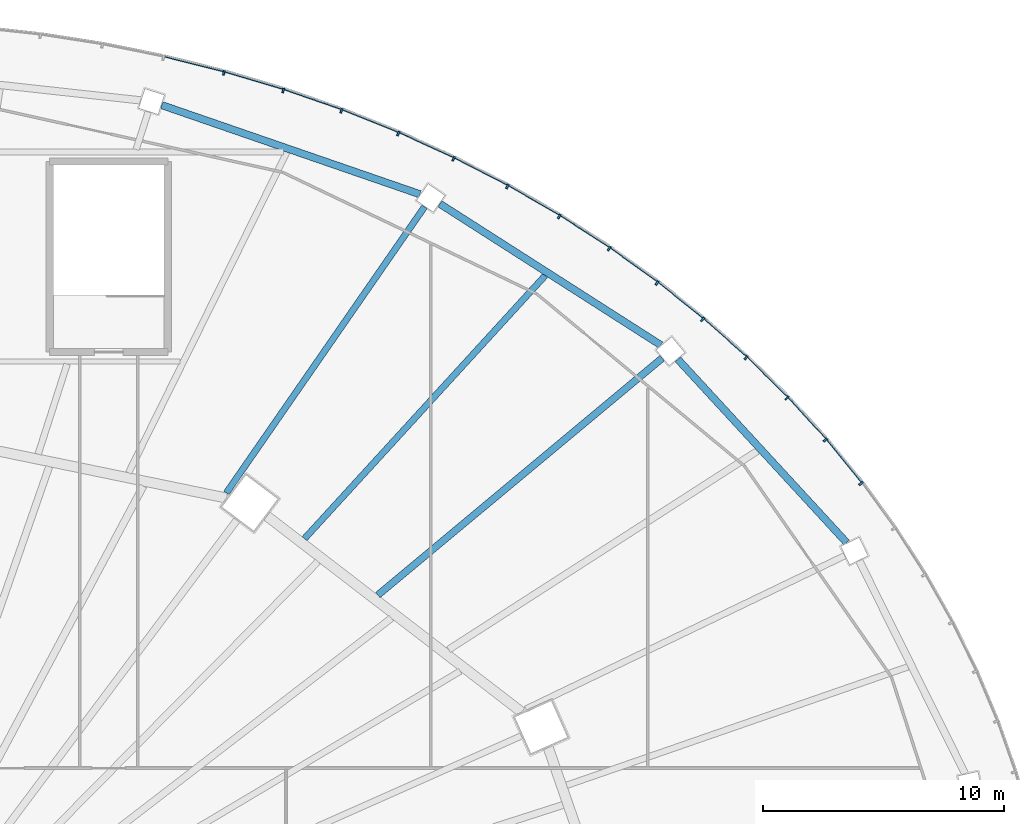
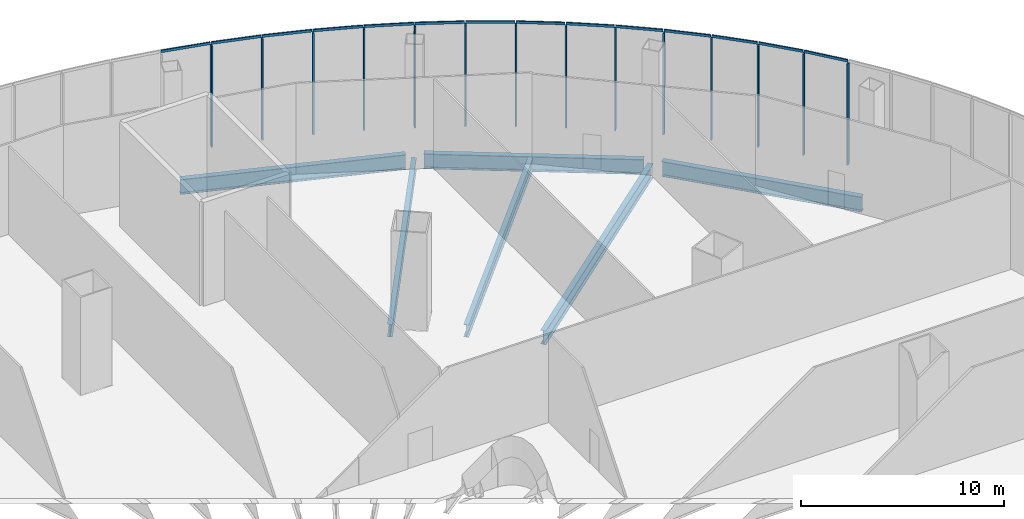
# One storey, part 15 of 33: 28 members, 6 beams, 3 elements without a shape of their own.
"""IFC4 building model written with IfcOpenShell, lengths in metres."""

from ifc_helpers import new_model, si_unit, direction, frame, origin, origin_2d, place, context, subcontext, project, spatial, rectangle, i_section, extrude, material, layer, layer_set, material_profile, profile_set, type_object, element, aggregate, save


model = new_model("IFC4")

# Units and contexts
model_context = context("Model", 3, precision=1e-05, world=origin(), true_north=direction((0.0, 1.0)))
body_context = subcontext(model_context, "Body", "Model", "MODEL_VIEW")
ifc_project = project(units=[si_unit("LENGTHUNIT", "METRE"), si_unit("AREAUNIT", "SQUARE_METRE"), si_unit("VOLUMEUNIT", "CUBIC_METRE"), si_unit("PLANEANGLEUNIT", "RADIAN"), si_unit("MASSUNIT", "GRAM", prefix="KILO")], contexts=[model_context])

# Site, building, storey
site_placement = place(None, origin())
site = spatial("IfcSite", under=ifc_project, at=site_placement, CompositionType="ELEMENT")
building_placement = place(site_placement, origin())
building = spatial("IfcBuilding", under=site, at=building_placement, Name="Sahrelin Media Tower", CompositionType="ELEMENT")
storey_placement = place(building_placement, frame((0.0, 0.0, 37.39990234375)))
storey = spatial("IfcBuildingStorey", under=building, at=storey_placement, Name="L05", CompositionType="ELEMENT", Elevation=37.39990234375)

# Curtain wall, members
ifc_material_1 = material(Name="Champagne anodised aluminium 6063-T6", Category="aluminium")
ifc_layer = layer(ifc_material_1, 0.14990234375)
ifc_layer_set = layer_set([ifc_layer], Name="Podium ribbon curtain wall")
curtain_wall_type = type_object("IfcCurtainWallType", Name="Podium ribbon curtain wall", PredefinedType="NOTDEFINED", material=ifc_layer_set)
curtain_wall_1_placement = place(storey_placement, frame((43.30126953125, 21.0, 0.0), z_axis=(0.0, 0.0, 1.0), x_axis=(1.0, 0.0, 0.0)))
curtain_wall_1 = element("IfcCurtainWall", 1, at=curtain_wall_1_placement, inside=storey, type_object=curtain_wall_type, Name="L05:CW:L05-P02", PredefinedType="NOTDEFINED")
ifc_material_profile_1 = material_profile(ifc_material_1, rectangle(XDim=0.080078125, YDim=0.199951171875, at=origin_2d()), Name="Mullion 80x200")
ifc_profile_set_1 = profile_set([ifc_material_profile_1], Name="Champagne anodised aluminium 6063-T6")
member_type_1 = type_object("IfcMemberType", Name="Mullion 80x200 CW5", PredefinedType="MULLION", material=ifc_profile_set_1)
member_1_placement = place(storey_placement, frame((41.840576171875, 22.798828125, 0.0), z_axis=(0.0, 0.0, 1.0), x_axis=(-0.633234995933, 0.77395958546, 0.0)))
member_1 = element("IfcMember", 2, at=member_1_placement, type_object=member_type_1, Name="L05:CWM2:L05-P02", PredefinedType="MULLION", context=body_context, shape_type="SweptSolid", body=[
    extrude(rectangle(XDim=0.080078125, YDim=0.199951171875, at=origin_2d()), origin(), (0.0, 0.0, 1.0), 6.10009765625),
])
member_2_placement = place(storey_placement, frame((40.3623046875, 24.606201171875, 0.0), z_axis=(0.0, 0.0, 1.0), x_axis=(-0.67442997344, 0.738338818514, 0.0)))
member_2 = element("IfcMember", 3, at=member_2_placement, type_object=member_type_1, Name="L05:CWM3:L05-P02", PredefinedType="MULLION", context=body_context, shape_type="SweptSolid", body=[
    extrude(rectangle(XDim=0.080078125, YDim=0.199951171875, at=origin_2d()), origin(), (0.0, 0.0, 1.0), 6.10009765625),
])
member_3_placement = place(storey_placement, frame((38.773193359375, 26.345947265625, 0.0), z_axis=(0.0, 0.0, 1.0), x_axis=(-0.712973923933, 0.70119054742, 0.0)))
member_3 = element("IfcMember", 4, at=member_3_placement, type_object=member_type_1, Name="L05:CWM4:L05-P02", PredefinedType="MULLION", context=body_context, shape_type="SweptSolid", body=[
    extrude(rectangle(XDim=0.080078125, YDim=0.199951171875, at=origin_2d()), origin(), (0.0, 0.0, 1.0), 6.10009765625),
])
member_4_placement = place(storey_placement, frame((37.07763671875, 28.013671875, 0.0), z_axis=(0.0, 0.0, 1.0), x_axis=(-0.748788005735, 0.662809567272, 0.0)))
member_4 = element("IfcMember", 5, at=member_4_placement, type_object=member_type_1, Name="L05:CWM5:L05-P02", PredefinedType="MULLION", context=body_context, shape_type="SweptSolid", body=[
    extrude(rectangle(XDim=0.080078125, YDim=0.199951171875, at=origin_2d()), origin(), (0.0, 0.0, 1.0), 6.10009765625),
])

curtain_wall_2_placement = place(storey_placement, frame((35.355224609375, 29.698486328125, 0.0), z_axis=(0.0, 0.0, 1.0), x_axis=(1.0, 0.0, 0.0)))
curtain_wall_2 = element("IfcCurtainWall", 6, at=curtain_wall_2_placement, inside=storey, type_object=curtain_wall_type, Name="L05:CW:L05-P03", PredefinedType="NOTDEFINED")
member_5_placement = place(storey_placement, frame((35.280517578125, 29.604736328125, 0.0), z_axis=(0.0, 0.0, 1.0), x_axis=(-0.781960183728, 0.623328381405, 0.0)))
member_5 = element("IfcMember", 7, at=member_5_placement, type_object=member_type_1, Name="L05:CWM1:L05-P03", PredefinedType="MULLION", context=body_context, shape_type="SweptSolid", body=[
    extrude(rectangle(XDim=0.080078125, YDim=0.199951171875, at=origin_2d()), origin(), (0.0, 0.0, 1.0), 6.10009765625),
])
member_6_placement = place(storey_placement, frame((33.38671875, 31.114501953125, 0.0), z_axis=(0.0, 0.0, 1.0), x_axis=(-0.812532432251, 0.582915985834, 0.0)))
member_6 = element("IfcMember", 8, at=member_6_placement, type_object=member_type_1, Name="L05:CWM2:L05-P03", PredefinedType="MULLION", context=body_context, shape_type="SweptSolid", body=[
    extrude(rectangle(XDim=0.080078125, YDim=0.199951171875, at=origin_2d()), origin(), (0.0, 0.0, 1.0), 6.10009765625),
])
member_7_placement = place(storey_placement, frame((31.40087890625, 32.539306640625, 0.0), z_axis=(0.0, 0.0, 1.0), x_axis=(-0.840519327336, 0.541781561494, 0.0)))
member_7 = element("IfcMember", 9, at=member_7_placement, type_object=member_type_1, Name="L05:CWM3:L05-P03", PredefinedType="MULLION", context=body_context, shape_type="SweptSolid", body=[
    extrude(rectangle(XDim=0.080078125, YDim=0.199951171875, at=origin_2d()), origin(), (0.0, 0.0, 1.0), 6.10009765625),
])
member_8_placement = place(storey_placement, frame((29.329345703125, 33.874755859375, 0.0), z_axis=(0.0, 0.0, 1.0), x_axis=(-0.866028894422, 0.49999395399, 0.0)))
member_8 = element("IfcMember", 10, at=member_8_placement, type_object=member_type_1, Name="L05:CWM4:L05-P03", PredefinedType="MULLION", context=body_context, shape_type="SweptSolid", body=[
    extrude(rectangle(XDim=0.080078125, YDim=0.199951171875, at=origin_2d()), origin(), (0.0, 0.0, 1.0), 6.10009765625),
])
member_9_placement = place(storey_placement, frame((27.177001953125, 35.117431640625, 0.0), z_axis=(0.0, 0.0, 1.0), x_axis=(-0.889123403251, 0.457667536309, 0.0)))
member_9 = element("IfcMember", 11, at=member_9_placement, type_object=member_type_1, Name="L05:CWM5:L05-P03", PredefinedType="MULLION", context=body_context, shape_type="SweptSolid", body=[
    extrude(rectangle(XDim=0.080078125, YDim=0.199951171875, at=origin_2d()), origin(), (0.0, 0.0, 1.0), 6.10009765625),
])

curtain_wall_3_placement = place(storey_placement, frame((25.0, 36.373046875, 0.0), z_axis=(0.0, 0.0, 1.0), x_axis=(1.0, 0.0, 0.0)))
curtain_wall_3 = element("IfcCurtainWall", 12, at=curtain_wall_3_placement, inside=storey, type_object=curtain_wall_type, Name="L05:CW:L05-P04", PredefinedType="NOTDEFINED")
member_10_placement = place(storey_placement, frame((24.9501953125, 36.263916015625, 0.0), z_axis=(0.0, 0.0, 1.0), x_axis=(-0.909841810065, 0.414955275491, 0.0)))
member_10 = element("IfcMember", 13, at=member_10_placement, type_object=member_type_1, Name="L05:CWM1:L05-P04", PredefinedType="MULLION", context=body_context, shape_type="SweptSolid", body=[
    extrude(rectangle(XDim=0.080078125, YDim=0.199951171875, at=origin_2d()), origin(), (0.0, 0.0, 1.0), 6.10009765625),
])
member_11_placement = place(storey_placement, frame((22.65478515625, 37.310791015625, 0.0), z_axis=(0.0, 0.0, 1.0), x_axis=(-0.928270482181, 0.371905783648, 0.0)))
member_11 = element("IfcMember", 14, at=member_11_placement, type_object=member_type_1, Name="L05:CWM2:L05-P04", PredefinedType="MULLION", context=body_context, shape_type="SweptSolid", body=[
    extrude(rectangle(XDim=0.080078125, YDim=0.199951171875, at=origin_2d()), origin(), (0.0, 0.0, 1.0), 6.10009765625),
])
member_12_placement = place(storey_placement, frame((20.29736328125, 38.255615234375, 0.0), z_axis=(0.0, 0.0, 1.0), x_axis=(-0.944458420046, 0.328630937077, 0.0)))
member_12 = element("IfcMember", 15, at=member_12_placement, type_object=member_type_1, Name="L05:CWM3:L05-P04", PredefinedType="MULLION", context=body_context, shape_type="SweptSolid", body=[
    extrude(rectangle(XDim=0.080078125, YDim=0.199951171875, at=origin_2d()), origin(), (0.0, 0.0, 1.0), 6.10009765625),
])
member_13_placement = place(storey_placement, frame((17.88427734375, 39.095458984375, 0.0), z_axis=(0.0, 0.0, 1.0), x_axis=(-0.958494922328, 0.285109599754, 0.0)))
member_13 = element("IfcMember", 16, at=member_13_placement, type_object=member_type_1, Name="L05:CWM4:L05-P04", PredefinedType="MULLION", context=body_context, shape_type="SweptSolid", body=[
    extrude(rectangle(XDim=0.080078125, YDim=0.199951171875, at=origin_2d()), origin(), (0.0, 0.0, 1.0), 6.10009765625),
])
member_14_placement = place(storey_placement, frame((15.421875, 39.827880859375, 0.0), z_axis=(0.0, 0.0, 1.0), x_axis=(-0.970410464409, 0.241461240296, 0.0)))
member_14 = element("IfcMember", 17, at=member_14_placement, type_object=member_type_1, Name="L05:CWM5:L05-P04", PredefinedType="MULLION", context=body_context, shape_type="SweptSolid", body=[
    extrude(rectangle(XDim=0.080078125, YDim=0.199951171875, at=origin_2d()), origin(), (0.0, 0.0, 1.0), 6.10009765625),
])

# Beams
ifc_material_2 = material(Name="Steel S355", Category="steel")
ifc_material_profile_2 = material_profile(ifc_material_2, i_section(OverallWidth=0.30322265625, OverallDepth=0.903076171875, WebThickness=0.01513671875, FlangeThickness=0.020263671875, FilletRadius=0.01904296875, at=origin_2d()), Name="UB 914x305x201")
ifc_profile_set_2 = profile_set([ifc_material_profile_2], Name="Steel S355")
beam_type_1 = type_object("IfcBeamType", Name="Podium edge girder PE11", PredefinedType="BEAM", material=ifc_profile_set_2)
beam_1_placement = place(storey_placement, frame((41.25048828125, 20.34619140625, -0.6513671875), z_axis=(-0.677370529771, 0.735642008995, 0.0), x_axis=(-0.735642008995, -0.677370529771, 0.0)))
element("IfcBeam", 18, at=beam_1_placement, inside=storey, type_object=beam_type_1, Name="Podium edge girder L05-03", PredefinedType="BEAM", context=body_context, shape_type="SweptSolid", body=[
    extrude(i_section(OverallWidth=0.30322265625, OverallDepth=0.903076171875, WebThickness=0.01513671875, FlangeThickness=0.020263671875, FilletRadius=0.01904296875, at=origin_2d()), origin(), (0.0, 0.0, 1.0), 10.340087890625),
])
beam_2_placement = place(storey_placement, frame((33.54345703125, 28.53857421875, -0.6513671875), z_axis=(-0.842485743715, 0.538718638657, 0.0), x_axis=(-0.538718638657, -0.842485743715, 0.0)))
element("IfcBeam", 19, at=beam_2_placement, inside=storey, type_object=beam_type_1, Name="Podium edge girder L05-04", PredefinedType="BEAM", context=body_context, shape_type="SweptSolid", body=[
    extrude(i_section(OverallWidth=0.30322265625, OverallDepth=0.903076171875, WebThickness=0.01513671875, FlangeThickness=0.020263671875, FilletRadius=0.01904296875, at=origin_2d()), origin(), (0.0, 0.0, 1.0), 10.87744140625),
])
beam_3_placement = place(storey_placement, frame((23.55810546875, 34.79345703125, -0.6513671875), z_axis=(-0.94527240249, 0.32628221694, 0.0), x_axis=(-0.32628221694, -0.94527240249, 0.0)))
element("IfcBeam", 20, at=beam_3_placement, inside=storey, type_object=beam_type_1, Name="Podium edge girder L05-05", PredefinedType="BEAM", context=body_context, shape_type="SweptSolid", body=[
    extrude(i_section(OverallWidth=0.30322265625, OverallDepth=0.903076171875, WebThickness=0.01513671875, FlangeThickness=0.020263671875, FilletRadius=0.01904296875, at=origin_2d()), origin(), (0.0, 0.0, 1.0), 11.329345703125),
])
ifc_material_profile_3 = material_profile(ifc_material_2, i_section(OverallWidth=0.291748046875, OverallDepth=0.8349609375, WebThickness=0.013916015625, FlangeThickness=0.018798828125, FilletRadius=0.017822265625, at=origin_2d()), Name="UB 838x292x176")
ifc_profile_set_3 = profile_set([ifc_material_profile_3], Name="Steel S355")
beam_type_2 = type_object("IfcBeamType", Name="Radial primary beam PB10", PredefinedType="BEAM", material=ifc_profile_set_3)
beam_4_placement = place(storey_placement, frame((21.809326171875, 18.174560546875, -0.617431640625), z_axis=(0.768229105739, 0.640175008178, 0.0), x_axis=(-0.640175008178, 0.768229105739, 0.0)))
element("IfcBeam", 21, at=beam_4_placement, inside=storey, type_object=beam_type_2, Name="Radial beam L05-04", PredefinedType="BEAM", context=body_context, shape_type="SweptSolid", body=[
    extrude(i_section(OverallWidth=0.291748046875, OverallDepth=0.8349609375, WebThickness=0.013916015625, FlangeThickness=0.018798828125, FilletRadius=0.017822265625, at=origin_2d()), origin(), (0.0, 0.0, 1.0), 15.342041015625),
])
ifc_material_profile_4 = material_profile(ifc_material_2, i_section(OverallWidth=0.26513671875, OverallDepth=0.75390625, WebThickness=0.0126953125, FlangeThickness=0.017578125, FilletRadius=0.0166015625, at=origin_2d()), Name="UB 762x267x147")
ifc_profile_set_4 = profile_set([ifc_material_profile_4], Name="Steel S355")
beam_type_3 = type_object("IfcBeamType", Name="Radial primary beam PB9", PredefinedType="BEAM", material=ifc_profile_set_4)
beam_5_placement = place(storey_placement, frame((15.527099609375, 22.411376953125, -0.576904296875), z_axis=(0.569493278726, 0.821995988729, 0.0), x_axis=(-0.821995988729, 0.569493278726, 0.0)))
element("IfcBeam", 22, at=beam_5_placement, inside=storey, type_object=beam_type_3, Name="Radial beam L05-05", PredefinedType="BEAM", context=body_context, shape_type="SweptSolid", body=[
    extrude(i_section(OverallWidth=0.26513671875, OverallDepth=0.75390625, WebThickness=0.0126953125, FlangeThickness=0.017578125, FilletRadius=0.0166015625, at=origin_2d()), origin(), (0.0, 0.0, 1.0), 14.427734375),
])
ifc_material_profile_5 = material_profile(ifc_material_2, i_section(OverallWidth=0.26513671875, OverallDepth=0.75390625, WebThickness=0.0126953125, FlangeThickness=0.017578125, FilletRadius=0.0166015625, at=origin_2d()), Name="UB 762x267x147")
ifc_profile_set_5 = profile_set([ifc_material_profile_5], Name="Steel S355")
beam_type_4 = type_object("IfcBeamType", Name="Radial secondary beam SB9", PredefinedType="BEAM", material=ifc_profile_set_5)
beam_6_placement = place(storey_placement, frame((18.7685546875, 20.514892578125, -0.576904296875), z_axis=(0.675004282666, 0.737813810106, 0.0), x_axis=(-0.737813810106, 0.675004282666, 0.0)))
element("IfcBeam", 23, at=beam_6_placement, inside=storey, type_object=beam_type_4, Name="Secondary beam L05-04", PredefinedType="BEAM", context=body_context, shape_type="SweptSolid", body=[
    extrude(i_section(OverallWidth=0.26513671875, OverallDepth=0.75390625, WebThickness=0.0126953125, FlangeThickness=0.017578125, FilletRadius=0.0166015625, at=origin_2d()), origin(), (0.0, 0.0, 1.0), 14.7861328125),
])

# Member
ifc_material_profile_6 = material_profile(ifc_material_1, rectangle(XDim=0.06005859375, YDim=0.14990234375, at=origin_2d()), Name="Transom 60x150")
ifc_profile_set_6 = profile_set([ifc_material_profile_6], Name="Champagne anodised aluminium 6063-T6")
member_type_2 = type_object("IfcMemberType", Name="Transom 60x150 CW5", PredefinedType="USERDEFINED", material=ifc_profile_set_6)
member_15_placement = place(storey_placement, frame((41.863037109375, 22.8818359375, 6.175048828125), z_axis=(-0.633220383586, 0.773971540698, 0.0), x_axis=(-0.773971540698, -0.633220383586, 0.0)))
member_15 = element("IfcMember", 24, at=member_15_placement, type_object=member_type_2, Name="L05:CWT2a:L05-P02", ObjectType="TRANSOM", PredefinedType="USERDEFINED", context=body_context, shape_type="SweptSolid", body=[
    extrude(rectangle(XDim=0.06005859375, YDim=0.14990234375, at=origin_2d()), origin(), (0.0, 0.0, 1.0), 2.291259765625),
])

member_16_placement = place(storey_placement, frame((40.380126953125, 24.690185546875, 6.175048828125), z_axis=(-0.674452068042, 0.738318635762, 0.0), x_axis=(-0.738318635762, -0.674452068042, 0.0)))
member_16 = element("IfcMember", 25, at=member_16_placement, type_object=member_type_2, Name="L05:CWT3a:L05-P02", ObjectType="TRANSOM", PredefinedType="USERDEFINED", context=body_context, shape_type="SweptSolid", body=[
    extrude(rectangle(XDim=0.06005859375, YDim=0.14990234375, at=origin_2d()), origin(), (0.0, 0.0, 1.0), 2.312744140625),
])

member_17_placement = place(storey_placement, frame((38.78662109375, 26.430908203125, 6.175048828125), z_axis=(-0.712990568358, 0.701173622887, 0.0), x_axis=(-0.701173622887, -0.712990568358, 0.0)))
member_17 = element("IfcMember", 26, at=member_17_placement, type_object=member_type_2, Name="L05:CWT4a:L05-P02", ObjectType="TRANSOM", PredefinedType="USERDEFINED", context=body_context, shape_type="SweptSolid", body=[
    extrude(rectangle(XDim=0.06005859375, YDim=0.14990234375, at=origin_2d()), origin(), (0.0, 0.0, 1.0), 2.334716796875),
])

member_18_placement = place(storey_placement, frame((37.086669921875, 28.09912109375, 6.175048828125), z_axis=(-0.74874536596, 0.662857735078, 0.0), x_axis=(-0.662857735078, -0.74874536596, 0.0)))
member_18 = element("IfcMember", 27, at=member_18_placement, type_object=member_type_2, Name="L05:CWT5a:L05-P02", ObjectType="TRANSOM", PredefinedType="USERDEFINED", context=body_context, shape_type="SweptSolid", body=[
    extrude(rectangle(XDim=0.06005859375, YDim=0.14990234375, at=origin_2d()), origin(), (0.0, 0.0, 1.0), 2.3564453125),
])

aggregate(curtain_wall_1, [member_1, member_15, member_2, member_16, member_3, member_17, member_4, member_18])

member_19_placement = place(storey_placement, frame((35.284912109375, 29.690673828125, 6.175048828125), z_axis=(-0.781949308238, 0.62334202437, 0.0), x_axis=(-0.62334202437, -0.781949308238, 0.0)))
member_19 = element("IfcMember", 28, at=member_19_placement, type_object=member_type_2, Name="L05:CWT1a:L05-P03", ObjectType="TRANSOM", PredefinedType="USERDEFINED", context=body_context, shape_type="SweptSolid", body=[
    extrude(rectangle(XDim=0.06005859375, YDim=0.14990234375, at=origin_2d()), origin(), (0.0, 0.0, 1.0), 2.378173828125),
])

member_20_placement = place(storey_placement, frame((33.38671875, 31.20068359375, 6.175048828125), z_axis=(-0.812494250999, 0.582969203384, 0.0), x_axis=(-0.582969203384, -0.812494250999, 0.0)))
member_20 = element("IfcMember", 29, at=member_20_placement, type_object=member_type_2, Name="L05:CWT2a:L05-P03", ObjectType="TRANSOM", PredefinedType="USERDEFINED", context=body_context, shape_type="SweptSolid", body=[
    extrude(rectangle(XDim=0.06005859375, YDim=0.14990234375, at=origin_2d()), origin(), (0.0, 0.0, 1.0), 2.399658203125),
])

member_21_placement = place(storey_placement, frame((31.39697265625, 32.625244140625, 6.175048828125), z_axis=(-0.840515923585, 0.541786842033, 0.0), x_axis=(-0.541786842033, -0.840515923585, 0.0)))
member_21 = element("IfcMember", 30, at=member_21_placement, type_object=member_type_2, Name="L05:CWT3a:L05-P03", ObjectType="TRANSOM", PredefinedType="USERDEFINED", context=body_context, shape_type="SweptSolid", body=[
    extrude(rectangle(XDim=0.06005859375, YDim=0.14990234375, at=origin_2d()), origin(), (0.0, 0.0, 1.0), 2.420654296875),
])

member_22_placement = place(storey_placement, frame((29.321044921875, 33.96044921875, 6.175048828125), z_axis=(-0.866037355757, 0.499979298005, 0.0), x_axis=(-0.499979298005, -0.866037355757, 0.0)))
member_22 = element("IfcMember", 31, at=member_22_placement, type_object=member_type_2, Name="L05:CWT4a:L05-P03", ObjectType="TRANSOM", PredefinedType="USERDEFINED", context=body_context, shape_type="SweptSolid", body=[
    extrude(rectangle(XDim=0.06005859375, YDim=0.14990234375, at=origin_2d()), origin(), (0.0, 0.0, 1.0), 2.44091796875),
])

member_23_placement = place(storey_placement, frame((27.164794921875, 35.20263671875, 6.175048828125), z_axis=(-0.889147091366, 0.457621513824, 0.0), x_axis=(-0.457621513824, -0.889147091366, 0.0)))
member_23 = element("IfcMember", 32, at=member_23_placement, type_object=member_type_2, Name="L05:CWT5a:L05-P03", ObjectType="TRANSOM", PredefinedType="USERDEFINED", context=body_context, shape_type="SweptSolid", body=[
    extrude(rectangle(XDim=0.06005859375, YDim=0.14990234375, at=origin_2d()), origin(), (0.0, 0.0, 1.0), 2.46044921875),
])

aggregate(curtain_wall_2, [member_5, member_19, member_6, member_20, member_7, member_21, member_8, member_22, member_9, member_23])

member_24_placement = place(storey_placement, frame((24.933837890625, 36.348388671875, 6.175048828125), z_axis=(-0.909869936632, 0.414893598906, 0.0), x_axis=(-0.414893598906, -0.909869936632, 0.0)))
member_24 = element("IfcMember", 33, at=member_24_placement, type_object=member_type_2, Name="L05:CWT1a:L05-P04", ObjectType="TRANSOM", PredefinedType="USERDEFINED", context=body_context, shape_type="SweptSolid", body=[
    extrude(rectangle(XDim=0.06005859375, YDim=0.14990234375, at=origin_2d()), origin(), (0.0, 0.0, 1.0), 2.478515625),
])

member_25_placement = place(storey_placement, frame((22.634521484375, 37.39453125, 6.175048828125), z_axis=(-0.928280887293, 0.371879811615, 0.0), x_axis=(-0.371879811615, -0.928280887293, 0.0)))
member_25 = element("IfcMember", 34, at=member_25_placement, type_object=member_type_2, Name="L05:CWT2a:L05-P04", ObjectType="TRANSOM", PredefinedType="USERDEFINED", context=body_context, shape_type="SweptSolid", body=[
    extrude(rectangle(XDim=0.06005859375, YDim=0.14990234375, at=origin_2d()), origin(), (0.0, 0.0, 1.0), 2.495361328125),
])

member_26_placement = place(storey_placement, frame((20.273193359375, 38.338134765625, 6.175048828125), z_axis=(-0.944469242615, 0.328599832248, 0.0), x_axis=(-0.328599832248, -0.944469242615, 0.0)))
member_26 = element("IfcMember", 35, at=member_26_placement, type_object=member_type_2, Name="L05:CWT3a:L05-P04", ObjectType="TRANSOM", PredefinedType="USERDEFINED", context=body_context, shape_type="SweptSolid", body=[
    extrude(rectangle(XDim=0.06005859375, YDim=0.14990234375, at=origin_2d()), origin(), (0.0, 0.0, 1.0), 2.510498046875),
])

member_27_placement = place(storey_placement, frame((17.856201171875, 39.1767578125, 6.175048828125), z_axis=(-0.958497078849, 0.285102349758, 0.0), x_axis=(-0.285102349758, -0.958497078849, 0.0)))
member_27 = element("IfcMember", 36, at=member_27_placement, type_object=member_type_2, Name="L05:CWT4a:L05-P04", ObjectType="TRANSOM", PredefinedType="USERDEFINED", context=body_context, shape_type="SweptSolid", body=[
    extrude(rectangle(XDim=0.06005859375, YDim=0.14990234375, at=origin_2d()), origin(), (0.0, 0.0, 1.0), 2.5244140625),
])

member_28_placement = place(storey_placement, frame((15.39013671875, 39.907958984375, 6.175048828125), z_axis=(-0.970396770558, 0.241516267963, 0.0), x_axis=(-0.241516267963, -0.970396770558, 0.0)))
member_28 = element("IfcMember", 37, at=member_28_placement, type_object=member_type_2, Name="L05:CWT5a:L05-P04", ObjectType="TRANSOM", PredefinedType="USERDEFINED", context=body_context, shape_type="SweptSolid", body=[
    extrude(rectangle(XDim=0.06005859375, YDim=0.14990234375, at=origin_2d()), origin(), (0.0, 0.0, 1.0), 2.536376953125),
])

aggregate(curtain_wall_3, [member_10, member_24, member_11, member_25, member_12, member_26, member_13, member_27, member_14, member_28])

save(model, "model.ifc")
